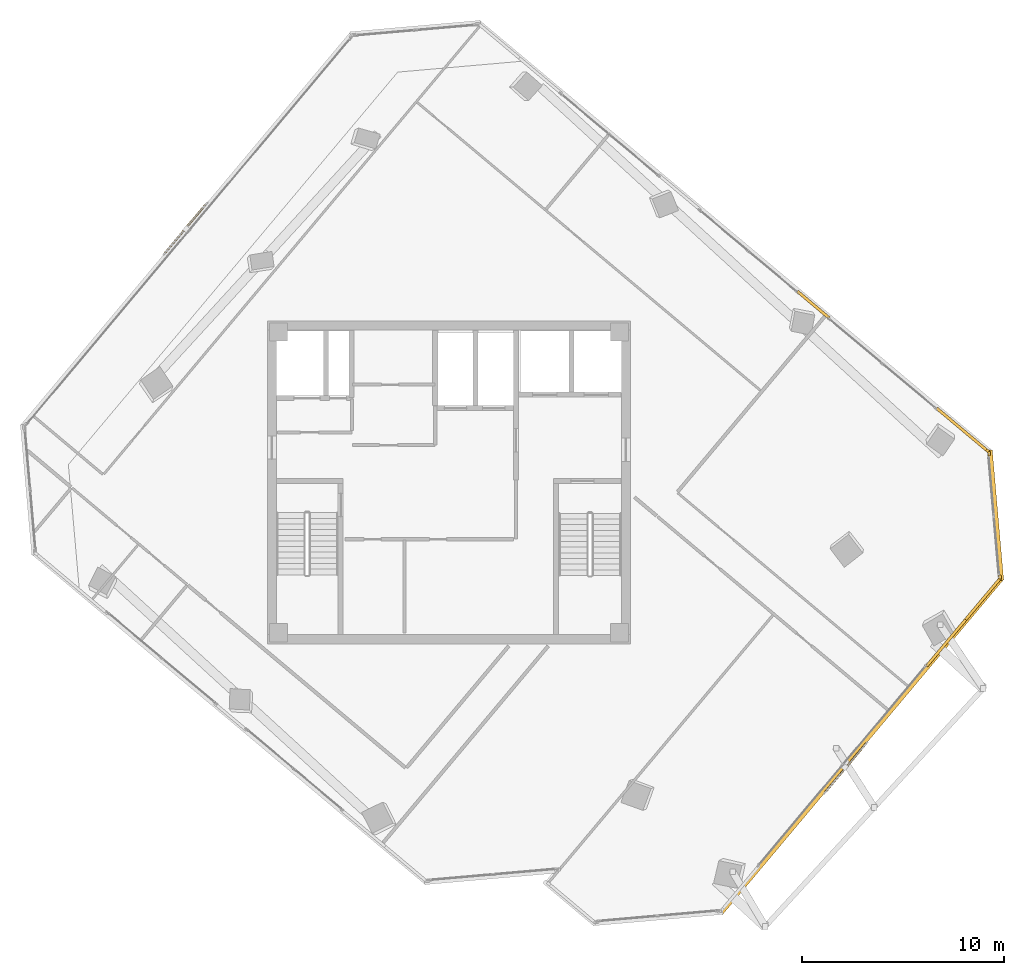
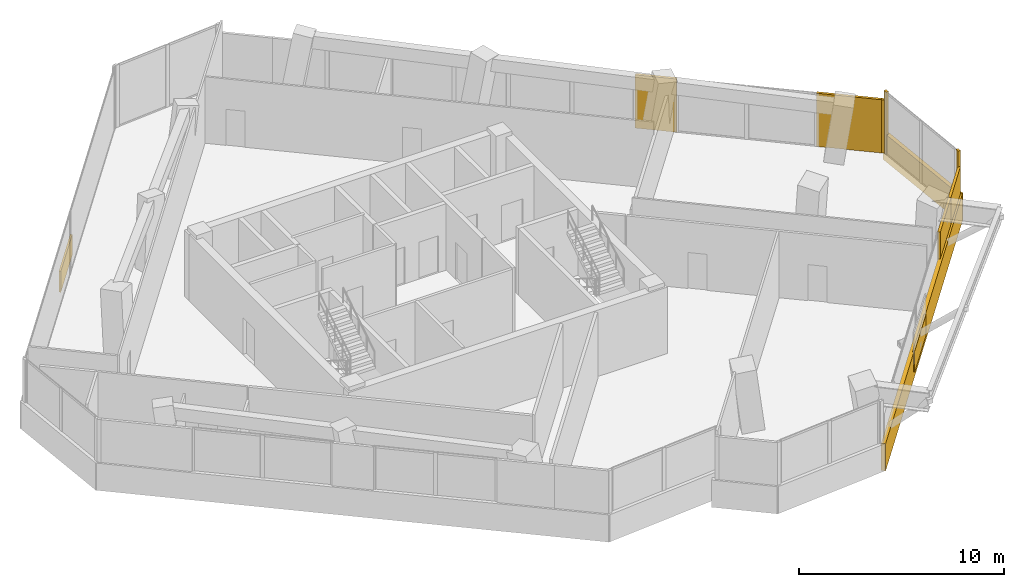
# One storey, part 17 of 18: 9 coverings, 2 shading devices.
"""IFC4 building model written with IfcOpenShell, lengths in metres."""

from ifc_helpers import new_model, si_unit, direction, frame, origin, origin_2d, place, context, subcontext, project, spatial, rectangle, extrude, source, transform, mapped, material, layer, layer_set, type_object, element, save


model = new_model("IFC4")

# Units and contexts
model_context = context("Model", 3, precision=1e-05, world=origin(), true_north=direction((0.0, 1.0)))
body_context = subcontext(model_context, "Body", "Model", "MODEL_VIEW")
ifc_project = project(units=[si_unit("LENGTHUNIT", "METRE"), si_unit("AREAUNIT", "SQUARE_METRE"), si_unit("VOLUMEUNIT", "CUBIC_METRE"), si_unit("PLANEANGLEUNIT", "RADIAN"), si_unit("MASSUNIT", "GRAM", prefix="KILO")], contexts=[model_context])

# Site, building, storey
site_placement = place(None, origin())
site = spatial("IfcSite", under=ifc_project, at=site_placement, CompositionType="ELEMENT")
building_placement = place(site_placement, origin())
building = spatial("IfcBuilding", under=site, at=building_placement, Name="Torre Montelarca", CompositionType="ELEMENT")
storey_placement = place(building_placement, frame((0.0, 0.0, 224.800048828125)))
storey = spatial("IfcBuildingStorey", under=building, at=storey_placement, Name="L50", CompositionType="ELEMENT", Elevation=224.800048828125)

# Covering
ifc_material_1 = material(Name="Bush-hammered warm white precast concrete C45/55", Category="concrete")
ifc_layer_1 = layer(ifc_material_1, 0.139892578125, Name="Bush-hammered warm white precast concrete C45/55", Category="concrete")
ifc_layer_set_1 = layer_set([ifc_layer_1], Name="Bush-hammered warm white precast concrete C45/55")
covering_type = type_object("IfcCoveringType", Name="COV-TRAY-CLAD", PredefinedType="CLADDING", material=ifc_layer_set_1)
shared_shape_1 = source(origin(), body_context, "Body", "SweptSolid", [
    extrude(rectangle(XDim=6.48388671875, YDim=0.219970703125, at=origin_2d()), origin(), (0.0, 0.0, 1.0), 1.6201171875),
])
covering_1_placement = place(storey_placement, frame((45.106689453125, 30.374267578125, -0.4501953125), z_axis=(0.0, 0.0, 1.0), x_axis=(-0.087162697497, 0.996194089606, 0.0)))
element("IfcCovering", 1, at=covering_1_placement, inside=storey, type_object=covering_type, Name="L50 Architectural White Spandrel Tray Band TRYBOT-07", PredefinedType="CLADDING", context=body_context, shape_type="MappedRepresentation", body=[
    mapped(shared_shape_1, transform((0.0, 0.0, 0.0), scale=1.0)),
])

# Shading devices
ifc_material_2 = material(Name="Architectural perforated terracotta ceramic", Category="masonry")
ifc_layer_2 = layer(ifc_material_2, 0.080078125, Name="Architectural perforated terracotta ceramic", Category="masonry")
ifc_layer_set_2 = layer_set([ifc_layer_2], Name="Architectural perforated terracotta ceramic")
shading_device_type = type_object("IfcShadingDeviceType", Name="SHD-JALOUSIE-1", PredefinedType="JALOUSIE", material=ifc_layer_set_2)
shared_shape_2 = source(origin(), body_context, "Body", "SweptSolid", [
    extrude(rectangle(XDim=3.199951171875, YDim=0.10009765625, at=origin_2d()), origin(), (0.0, 0.0, 1.0), 1.25),
])
for number, where, z_axis, x_axis, name in (
    (2, (37.664794921875, 17.847412109375, -0.005126953125), (0.0, 0.0, 1.0), (0.642786272686, 0.766045564994, 0.0), "L50 Facade Solar Shading Device E6"),
    (3, (4.938720703125, 44.591064453125, -0.005126953125), (0.0, 0.0, 1.0), (-0.642787609687, -0.766044443119, 0.0), "L50 Facade Solar Shading Device E10"),
):
    element("IfcShadingDevice", number, at=place(storey_placement, frame(where, z_axis=z_axis, x_axis=x_axis)), inside=storey, type_object=shading_device_type, Name=name, PredefinedType="JALOUSIE", context=body_context, shape_type="MappedRepresentation", body=[
        mapped(shared_shape_2, transform((0.0, 0.0, 0.0), scale=1.0)),
    ])

# Coverings
shared_shape_3 = source(origin(), body_context, "Body", "SweptSolid", [
    extrude(rectangle(XDim=0.199951171875, YDim=0.139892578125, at=origin_2d()), origin(), (0.0, 0.0, 1.0), 3.719970703125),
])
for number, where, z_axis, x_axis, name in (
    (4, (45.314208984375, 27.314697265625, 0.0), (0.0, 0.0, 1.0), (-0.087176606982, 0.996192872488, 0.0), "L50 Architectural Column Pier Cladding E07-1"),
    (5, (44.77978515625, 33.423583984375, 0.0), (0.0, 0.0, 1.0), (-0.087176606982, 0.996192872488, 0.0), "L50 Architectural Column Pier Cladding E07-2"),
):
    element("IfcCovering", number, at=place(storey_placement, frame(where, z_axis=z_axis, x_axis=x_axis)), inside=storey, type_object=covering_type, Name=name, PredefinedType="CLADDING", context=body_context, shape_type="MappedRepresentation", body=[
        mapped(shared_shape_3, transform((0.0, 0.0, 0.0), scale=1.0)),
    ])
shared_shape_4 = source(origin(), body_context, "Body", "SweptSolid", [
    extrude(rectangle(XDim=0.199951171875, YDim=0.139892578125, at=origin_2d()), origin(), (0.0, 0.0, 1.0), 3.175048828125),
])
covering_2_placement = place(storey_placement, frame((44.712646484375, 33.55224609375, 0.0), z_axis=(0.0, 0.0, 1.0), x_axis=(-0.766043321242, 0.642788946685, 0.0)))
element("IfcCovering", 6, at=covering_2_placement, inside=storey, type_object=covering_type, Name="L50 Architectural Column Pier Cladding E08-1", PredefinedType="CLADDING", context=body_context, shape_type="MappedRepresentation", body=[
    mapped(shared_shape_4, transform((0.0, 0.0, 0.0), scale=1.0)),
])
shared_shape_5 = source(origin(), body_context, "Body", "SweptSolid", [
    extrude(rectangle(XDim=2.67919921875, YDim=0.139892578125, at=origin_2d()), origin(), (0.0, 0.0, 1.0), 2.77490234375),
])
covering_3_placement = place(storey_placement, frame((44.473876953125, 26.2265625, 0.0), z_axis=(0.0, 0.0, 1.0), x_axis=(0.642787609687, 0.766044443119, 0.0)))
element("IfcCovering", 7, at=covering_3_placement, inside=storey, type_object=covering_type, Name="L50 Architectural Column Pier Cladding E06-4", PredefinedType="CLADDING", context=body_context, shape_type="MappedRepresentation", body=[
    mapped(shared_shape_5, transform((0.0, 0.0, 0.0), scale=1.0)),
])
shared_shape_6 = source(origin(), body_context, "Body", "SweptSolid", [
    extrude(rectangle(XDim=2.06005859375, YDim=0.139892578125, at=origin_2d()), origin(), (0.0, 0.0, 1.0), 3.175048828125),
])
covering_4_placement = place(storey_placement, frame((36.068603515625, 40.8056640625, 0.0), z_axis=(0.0, 0.0, 1.0), x_axis=(-0.766043321242, 0.642788946685, 0.0)))
element("IfcCovering", 8, at=covering_4_placement, inside=storey, type_object=covering_type, Name="L50 Architectural Column Pier Cladding E08-3", PredefinedType="CLADDING", context=body_context, shape_type="MappedRepresentation", body=[
    mapped(shared_shape_6, transform((0.0, 0.0, 0.0), scale=1.0)),
])
shared_shape_7 = source(origin(), body_context, "Body", "SweptSolid", [
    extrude(rectangle(XDim=21.719970703125, YDim=0.219970703125, at=origin_2d()), origin(), (0.0, 0.0, 1.0), 1.6201171875),
])
covering_5_placement = place(storey_placement, frame((38.448974609375, 18.953125, -0.4501953125), z_axis=(0.0, 0.0, 1.0), x_axis=(0.642786272686, 0.766045564994, 0.0)))
element("IfcCovering", 9, at=covering_5_placement, inside=storey, type_object=covering_type, Name="L50 Architectural White Spandrel Tray Band TRYBOT-06", PredefinedType="CLADDING", context=body_context, shape_type="MappedRepresentation", body=[
    mapped(shared_shape_7, transform((0.0, 0.0, 0.0), scale=1.0)),
])
shared_shape_8 = source(origin(), body_context, "Body", "SweptSolid", [
    extrude(rectangle(XDim=3.11181640625, YDim=0.139892578125, at=origin_2d()), origin(), (0.0, 0.0, 1.0), 2.77490234375),
])
covering_6_placement = place(storey_placement, frame((42.677001953125, 24.085205078125, 0.0), z_axis=(0.0, 0.0, 1.0), x_axis=(0.642787609687, 0.766044443119, 0.0)))
element("IfcCovering", 10, at=covering_6_placement, inside=storey, type_object=covering_type, Name="L50 Architectural Column Pier Cladding E06-3", PredefinedType="CLADDING", context=body_context, shape_type="MappedRepresentation", body=[
    mapped(shared_shape_8, transform((0.0, 0.0, 0.0), scale=1.0)),
])
shared_shape_9 = source(origin(), body_context, "Body", "SweptSolid", [
    extrude(rectangle(XDim=3.314208984375, YDim=0.139892578125, at=origin_2d()), origin(), (0.0, 0.0, 1.0), 3.175048828125),
])
covering_7_placement = place(storey_placement, frame((43.443359375, 34.617431640625, 0.0), z_axis=(0.0, 0.0, 1.0), x_axis=(-0.766043321242, 0.642788946685, 0.0)))
element("IfcCovering", 11, at=covering_7_placement, inside=storey, type_object=covering_type, Name="L50 Architectural Column Pier Cladding E08-2", PredefinedType="CLADDING", context=body_context, shape_type="MappedRepresentation", body=[
    mapped(shared_shape_9, transform((0.0, 0.0, 0.0), scale=1.0)),
])

save(model, "model.ifc")
